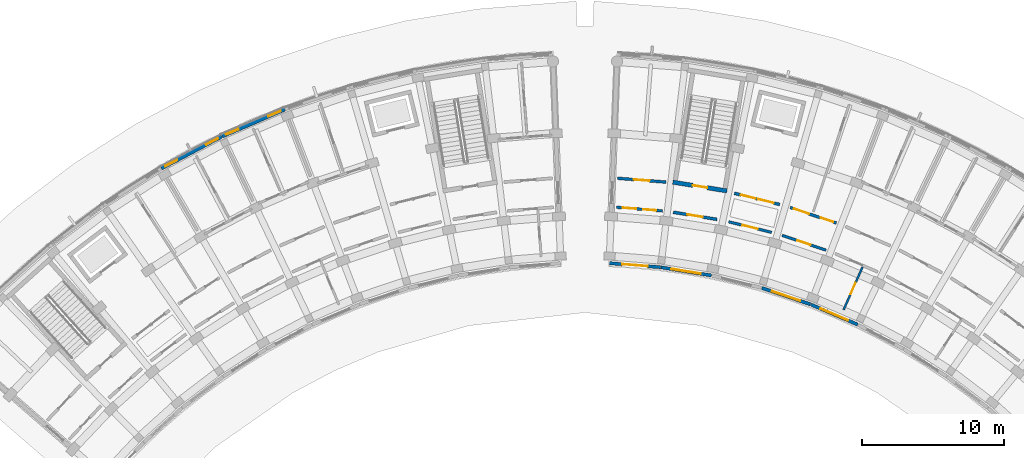
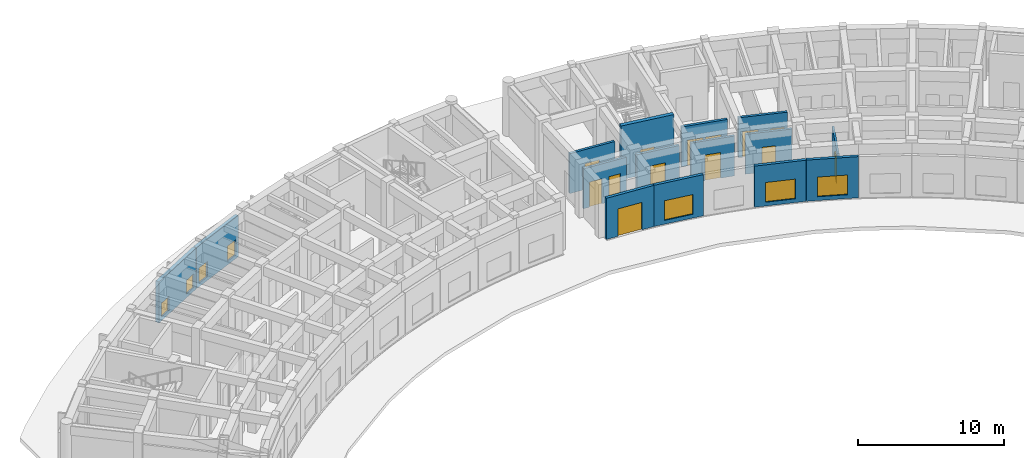
# One storey, part 34 of 61: 15 walls, 13 doors, 7 windows, 20 openings.
"""IFC4 building model written with IfcOpenShell, lengths in metres."""

from ifc_helpers import new_model, si_unit, direction, frame, frame_2d, origin, place, context, subcontext, project, spatial, rectangle, extrude, material, layer, layer_set, type_object, element, fill, save


model = new_model("IFC4")

# Units and contexts
model_context = context("Model", 3, precision=1e-05, world=origin(), true_north=direction((0.0, 1.0)))
body_context = subcontext(model_context, "Body", "Model", "MODEL_VIEW")
ifc_project = project(units=[si_unit("LENGTHUNIT", "METRE"), si_unit("AREAUNIT", "SQUARE_METRE"), si_unit("VOLUMEUNIT", "CUBIC_METRE"), si_unit("PLANEANGLEUNIT", "RADIAN"), si_unit("MASSUNIT", "GRAM", prefix="KILO")], contexts=[model_context])

# Site, building, storey
site_placement = place(None, origin())
site = spatial("IfcSite", under=ifc_project, at=site_placement, CompositionType="ELEMENT")
building_placement = place(site_placement, origin())
building = spatial("IfcBuilding", under=site, at=building_placement, Name="Zimvara Arc Housing Community", CompositionType="ELEMENT")
storey_placement = place(building_placement, origin())
storey = spatial("IfcBuildingStorey", under=building, at=storey_placement, Name="L00", CompositionType="ELEMENT", Elevation=0.0)

# Wall, opening, door
ifc_material_1 = material(Name="Board-Marked Fair-Faced Concrete C35/45", Category="concrete")
ifc_layer_1 = layer(ifc_material_1, 0.22998046875)
ifc_layer_set_1 = layer_set([ifc_layer_1], Name="Board-Marked Fair-Faced Concrete C35/45")
wall_type_1 = type_object("IfcWallType", Name="EWL-CONC-230", PredefinedType="SOLIDWALL", material=ifc_layer_set_1)
wall_1_placement = place(storey_placement, frame((46.73291015625, 89.08544921875, 0.0), z_axis=(0.0, 0.0, 1.0), x_axis=(0.996864205069, -0.079131262167, 0.0)))
wall_1 = element("IfcWall", 1, at=wall_1_placement, inside=storey, type_object=wall_type_1, Name="ewall:blkB:L00:in:b0", PredefinedType="SOLIDWALL", context=body_context, shape_type="SweptSolid", body=[
    extrude(rectangle(XDim=3.603515625, YDim=0.22998046875, at=frame_2d((1.8017578125, 0.0))), origin(), (0.0, 0.0, 1.0), 3.449951171875),
])
opening_1_placement = place(wall_1_placement, frame((0.90185546875, 0.0, 0.0)))
opening_1 = element("IfcOpeningElement", 2, at=opening_1_placement, cuts=wall_1, Name="Opening ED02", PredefinedType="OPENING", context=body_context, shape_type="SweptSolid", body=[
    extrude(rectangle(XDim=1.800048828125, YDim=2.300048828125, at=frame_2d((0.89990234375, 1.14990234375))), frame((0.0, 0.125, 0.0), z_axis=(0.0, -1.0, 0.0), x_axis=(1.0, 0.0, 0.0)), (0.0, 0.0, 1.0), 0.25),
])
ifc_material_2 = material(Name="Anodised Aluminium AW-6063", Category="aluminium")
door_type_1 = type_object("IfcDoorType", Name="EDR-EXIT-1800x2300", OperationType="DOUBLE_DOOR_SINGLE_SWING", PredefinedType="DOOR", material=ifc_material_2)
door_1_placement = place(opening_1_placement, origin())
door_1 = element("IfcDoor", 3, at=door_1_placement, inside=storey, type_object=door_type_1, Name="edoor:blkB:L00:lobby", OperationType="DOUBLE_DOOR_SINGLE_SWING", OverallHeight=2.300048828125, OverallWidth=1.800048828125, PredefinedType="DOOR", context=body_context, shape_type="SweptSolid", body=[
    extrude(rectangle(XDim=1.800048828125, YDim=2.300048828125, at=frame_2d((0.89990234375, 1.14990234375))), frame((0.0, 0.02490234375, 0.0), z_axis=(0.0, -1.0, 0.0), x_axis=(1.0, 0.0, 0.0)), (0.0, 0.0, 1.0), 0.050048828125),
])
fill(opening_1, door_1)

# Wall, opening, window
wall_2_placement = place(storey_placement, frame((50.36474609375, 88.79541015625, 0.0), z_axis=(0.0, 0.0, 1.0), x_axis=(0.987080874485, -0.160222804952, 0.0)))
wall_2 = element("IfcWall", 4, at=wall_2_placement, inside=storey, type_object=wall_type_1, Name="ewall:blkB:L00:in:b1", PredefinedType="SOLIDWALL", context=body_context, shape_type="SweptSolid", body=[
    extrude(rectangle(XDim=3.603759765625, YDim=0.22998046875, at=frame_2d((1.8017578125, 0.0))), origin(), (0.0, 0.0, 1.0), 3.449951171875),
])
opening_2_placement = place(wall_2_placement, frame((0.751708984375, 0.0, 0.320068359375)))
opening_2 = element("IfcOpeningElement", 5, at=opening_2_placement, cuts=wall_2, Name="Opening W09", PredefinedType="OPENING", context=body_context, shape_type="SweptSolid", body=[
    extrude(rectangle(XDim=2.10009765625, YDim=1.64990234375, at=frame_2d((1.050048828125, 0.824951171875))), frame((0.0, 0.125, 0.0), z_axis=(0.0, -1.0, 0.0), x_axis=(1.0, 0.0, 0.0)), (0.0, 0.0, 1.0), 0.25),
])
ifc_material_3 = material(Name="Solar Control Low-E Double Glazing", Category="glass")
window_type_1 = type_object("IfcWindowType", Name="WIN-RES-2100x1650", PartitioningType="TRIPLE_PANEL_VERTICAL", PredefinedType="WINDOW", material=ifc_material_3)
window_1_placement = place(opening_2_placement, origin())
window_1 = element("IfcWindow", 6, at=window_1_placement, inside=storey, type_object=window_type_1, Name="win:blkB:L00:in:b1", OverallHeight=1.64990234375, OverallWidth=2.10009765625, PartitioningType="TRIPLE_PANEL_VERTICAL", PredefinedType="WINDOW", context=body_context, shape_type="SweptSolid", body=[
    extrude(rectangle(XDim=2.10009765625, YDim=1.64990234375, at=frame_2d((1.050048828125, 0.824951171875))), frame((0.0, 0.030029296875, 0.0), z_axis=(0.0, -1.0, 0.0), x_axis=(1.0, 0.0, 0.0)), (0.0, 0.0, 1.0), 0.06005859375),
])
fill(opening_2, window_1)

wall_3_placement = place(storey_placement, frame((57.49755859375, 87.333251953125, 0.0), z_axis=(0.0, 0.0, 1.0), x_axis=(0.947880824442, -0.318625081649, 0.0)))
wall_3 = element("IfcWall", 7, at=wall_3_placement, inside=storey, type_object=wall_type_1, Name="ewall:blkB:L00:in:b3", PredefinedType="SOLIDWALL", context=body_context, shape_type="SweptSolid", body=[
    extrude(rectangle(XDim=3.603515625, YDim=0.22998046875, at=frame_2d((1.8017578125, 0.0))), origin(), (0.0, 0.0, 1.0), 3.449951171875),
])
opening_3_placement = place(wall_3_placement, frame((0.751708984375, 0.0, 0.320068359375)))
opening_3 = element("IfcOpeningElement", 8, at=opening_3_placement, cuts=wall_3, Name="Opening W09", PredefinedType="OPENING", context=body_context, shape_type="SweptSolid", body=[
    extrude(rectangle(XDim=2.10009765625, YDim=1.64990234375, at=frame_2d((1.050048828125, 0.824951171875))), frame((0.0, 0.125, 0.0), z_axis=(0.0, -1.0, 0.0), x_axis=(1.0, 0.0, 0.0)), (0.0, 0.0, 1.0), 0.25),
])
window_2_placement = place(opening_3_placement, origin())
window_2 = element("IfcWindow", 9, at=window_2_placement, inside=storey, type_object=window_type_1, Name="win:blkB:L00:in:b3", OverallHeight=1.64990234375, OverallWidth=2.10009765625, PartitioningType="TRIPLE_PANEL_VERTICAL", PredefinedType="WINDOW", context=body_context, shape_type="SweptSolid", body=[
    extrude(rectangle(XDim=2.10009765625, YDim=1.64990234375, at=frame_2d((1.050048828125, 0.824951171875))), frame((0.0, 0.030029296875, 0.0), z_axis=(0.0, -1.0, 0.0), x_axis=(1.0, 0.0, 0.0)), (0.0, 0.0, 1.0), 0.06005859375),
])
fill(opening_3, window_2)

wall_4_placement = place(storey_placement, frame((60.95068359375, 86.170654296875, 0.0), z_axis=(0.0, 0.0, 1.0), x_axis=(0.918713438577, -0.394924825477, 0.0)))
wall_4 = element("IfcWall", 10, at=wall_4_placement, inside=storey, type_object=wall_type_1, Name="ewall:blkB:L00:in:b4", PredefinedType="SOLIDWALL", context=body_context, shape_type="SweptSolid", body=[
    extrude(rectangle(XDim=3.603515625, YDim=0.22998046875, at=frame_2d((1.8017578125, 0.0))), origin(), (0.0, 0.0, 1.0), 3.449951171875),
])
opening_4_placement = place(wall_4_placement, frame((0.751708984375, 0.0, 0.320068359375)))
opening_4 = element("IfcOpeningElement", 11, at=opening_4_placement, cuts=wall_4, Name="Opening W09", PredefinedType="OPENING", context=body_context, shape_type="SweptSolid", body=[
    extrude(rectangle(XDim=2.10009765625, YDim=1.64990234375, at=frame_2d((1.050048828125, 0.824951171875))), frame((0.0, 0.125, 0.0), z_axis=(0.0, -1.0, 0.0), x_axis=(1.0, 0.0, 0.0)), (0.0, 0.0, 1.0), 0.25),
])
window_3_placement = place(opening_4_placement, origin())
window_3 = element("IfcWindow", 12, at=window_3_placement, inside=storey, type_object=window_type_1, Name="win:blkB:L00:in:b4", OverallHeight=1.64990234375, OverallWidth=2.10009765625, PartitioningType="TRIPLE_PANEL_VERTICAL", PredefinedType="WINDOW", context=body_context, shape_type="SweptSolid", body=[
    extrude(rectangle(XDim=2.10009765625, YDim=1.64990234375, at=frame_2d((1.050048828125, 0.824951171875))), frame((0.0, 0.030029296875, 0.0), z_axis=(0.0, -1.0, 0.0), x_axis=(1.0, 0.0, 0.0)), (0.0, 0.0, 1.0), 0.06005859375),
])
fill(opening_4, window_3)

# Wall, openings, windows
ifc_material_4 = material(Name="Board-Marked Fair-Faced Concrete C35/45", Category="concrete")
ifc_layer_2 = layer(ifc_material_4, 0.264892578125)
ifc_layer_set_2 = layer_set([ifc_layer_2], Name="Board-Marked Fair-Faced Concrete C35/45")
wall_type_2 = type_object("IfcWallType", Name="EWL-CONC-265", PredefinedType="SOLIDWALL", material=ifc_layer_set_2)
wall_5_placement = place(storey_placement, frame((15.07666015625, 95.788330078125, 0.0), z_axis=(0.0, 0.0, 1.0), x_axis=(0.883448093208, 0.468529045639, 0.0)))
wall_5 = element("IfcWall", 13, at=wall_5_placement, inside=storey, type_object=wall_type_2, Name="ewall:blkA:L00:out:b4", PredefinedType="SOLIDWALL", context=body_context, shape_type="SweptSolid", body=[
    extrude(rectangle(XDim=4.80908203125, YDim=0.264892578125, at=frame_2d((2.404541015625, 0.0))), origin(), (0.0, 0.0, 1.0), 3.449951171875),
])
opening_5_placement = place(wall_5_placement, frame((0.300048828125, 0.0, 0.300048828125)))
opening_5 = element("IfcOpeningElement", 14, at=opening_5_placement, cuts=wall_5, Name="Opening W25", PredefinedType="OPENING", context=body_context, shape_type="SweptSolid", body=[
    extrude(rectangle(XDim=0.9599609375, YDim=1.159912109375, at=frame_2d((0.47998046875, 0.580078125))), frame((0.0, 0.142333984375, 0.0), z_axis=(0.0, -1.0, 0.0), x_axis=(1.0, 0.0, 0.0)), (0.0, 0.0, 1.0), 0.284912109375),
])
opening_6_placement = place(wall_5_placement, frame((3.548828125, 0.0, 0.300048828125)))
opening_6 = element("IfcOpeningElement", 15, at=opening_6_placement, cuts=wall_5, Name="Opening W25", PredefinedType="OPENING", context=body_context, shape_type="SweptSolid", body=[
    extrude(rectangle(XDim=0.9599609375, YDim=1.159912109375, at=frame_2d((0.47998046875, 0.580078125))), frame((0.0, 0.142333984375, 0.0), z_axis=(0.0, -1.0, 0.0), x_axis=(1.0, 0.0, 0.0)), (0.0, 0.0, 1.0), 0.284912109375),
])
ifc_material_5 = material(Name="Solar Control Low-E Double Glazing", Category="glass")
window_type_2 = type_object("IfcWindowType", Name="WIN-MOD-960x1160", PartitioningType="DOUBLE_PANEL_VERTICAL", PredefinedType="WINDOW", material=ifc_material_5)
window_4_placement = place(opening_5_placement, origin())
window_4 = element("IfcWindow", 16, at=window_4_placement, inside=storey, type_object=window_type_2, Name="win:blkA:L00:out:b4:1", OverallHeight=1.159912109375, OverallWidth=0.9599609375, PartitioningType="DOUBLE_PANEL_VERTICAL", PredefinedType="WINDOW", context=body_context, shape_type="SweptSolid", body=[
    extrude(rectangle(XDim=0.9599609375, YDim=1.159912109375, at=frame_2d((0.47998046875, 0.580078125))), frame((0.0, 0.030029296875, 0.0), z_axis=(0.0, -1.0, 0.0), x_axis=(1.0, 0.0, 0.0)), (0.0, 0.0, 1.0), 0.06005859375),
])
fill(opening_5, window_4)
window_5_placement = place(opening_6_placement, origin())
window_5 = element("IfcWindow", 17, at=window_5_placement, inside=storey, type_object=window_type_2, Name="win:blkA:L00:out:b4:2", OverallHeight=1.159912109375, OverallWidth=0.9599609375, PartitioningType="DOUBLE_PANEL_VERTICAL", PredefinedType="WINDOW", context=body_context, shape_type="SweptSolid", body=[
    extrude(rectangle(XDim=0.9599609375, YDim=1.159912109375, at=frame_2d((0.47998046875, 0.580078125))), frame((0.0, 0.030029296875, 0.0), z_axis=(0.0, -1.0, 0.0), x_axis=(1.0, 0.0, 0.0)), (0.0, 0.0, 1.0), 0.06005859375),
])
fill(opening_6, window_5)

ifc_material_6 = material(Name="Board-Marked Fair-Faced Concrete C40/50", Category="concrete")
ifc_layer_3 = layer(ifc_material_6, 0.27490234375)
ifc_layer_set_3 = layer_set([ifc_layer_3], Name="Board-Marked Fair-Faced Concrete C40/50")
wall_type_3 = type_object("IfcWallType", Name="EWL-CONC-275", PredefinedType="SOLIDWALL", material=ifc_layer_set_3)
wall_6_placement = place(storey_placement, frame((19.361083984375, 98.05859375, 0.0), z_axis=(0.0, 0.0, 1.0), x_axis=(0.918711189033, 0.394930058548, 0.0)))
wall_6 = element("IfcWall", 18, at=wall_6_placement, inside=storey, type_object=wall_type_3, Name="ewall:blkA:L00:out:b5", PredefinedType="SOLIDWALL", context=body_context, shape_type="SweptSolid", body=[
    extrude(rectangle(XDim=4.808837890625, YDim=0.27490234375, at=frame_2d((2.404296875, 0.0))), origin(), (0.0, 0.0, 1.0), 3.449951171875),
])
opening_7_placement = place(wall_6_placement, frame((0.300048828125, 0.0, 0.300048828125)))
opening_7 = element("IfcOpeningElement", 19, at=opening_7_placement, cuts=wall_6, Name="Opening W26", PredefinedType="OPENING", context=body_context, shape_type="SweptSolid", body=[
    extrude(rectangle(XDim=0.9599609375, YDim=1.280029296875, at=frame_2d((0.47998046875, 0.64013671875))), frame((0.0, 0.1474609375, 0.0), z_axis=(0.0, -1.0, 0.0), x_axis=(1.0, 0.0, 0.0)), (0.0, 0.0, 1.0), 0.294921875),
])
opening_8_placement = place(wall_6_placement, frame((3.548828125, 0.0, 0.300048828125)))
opening_8 = element("IfcOpeningElement", 20, at=opening_8_placement, cuts=wall_6, Name="Opening W26", PredefinedType="OPENING", context=body_context, shape_type="SweptSolid", body=[
    extrude(rectangle(XDim=0.9599609375, YDim=1.280029296875, at=frame_2d((0.47998046875, 0.64013671875))), frame((0.0, 0.1474609375, 0.0), z_axis=(0.0, -1.0, 0.0), x_axis=(1.0, 0.0, 0.0)), (0.0, 0.0, 1.0), 0.294921875),
])
ifc_material_7 = material(Name="Solar Control Low-E Double Glazing", Category="glass")
window_type_3 = type_object("IfcWindowType", Name="WIN-MOD-960x1280", PartitioningType="DOUBLE_PANEL_VERTICAL", PredefinedType="WINDOW", material=ifc_material_7)
window_6_placement = place(opening_7_placement, origin())
window_6 = element("IfcWindow", 21, at=window_6_placement, inside=storey, type_object=window_type_3, Name="win:blkA:L00:out:b5:1", OverallHeight=1.280029296875, OverallWidth=0.9599609375, PartitioningType="DOUBLE_PANEL_VERTICAL", PredefinedType="WINDOW", context=body_context, shape_type="SweptSolid", body=[
    extrude(rectangle(XDim=0.9599609375, YDim=1.280029296875, at=frame_2d((0.47998046875, 0.64013671875))), frame((0.0, 0.030029296875, 0.0), z_axis=(0.0, -1.0, 0.0), x_axis=(1.0, 0.0, 0.0)), (0.0, 0.0, 1.0), 0.06005859375),
])
fill(opening_7, window_6)
window_7_placement = place(opening_8_placement, origin())
window_7 = element("IfcWindow", 22, at=window_7_placement, inside=storey, type_object=window_type_3, Name="win:blkA:L00:out:b5:2", OverallHeight=1.280029296875, OverallWidth=0.9599609375, PartitioningType="DOUBLE_PANEL_VERTICAL", PredefinedType="WINDOW", context=body_context, shape_type="SweptSolid", body=[
    extrude(rectangle(XDim=0.9599609375, YDim=1.280029296875, at=frame_2d((0.47998046875, 0.64013671875))), frame((0.0, 0.030029296875, 0.0), z_axis=(0.0, -1.0, 0.0), x_axis=(1.0, 0.0, 0.0)), (0.0, 0.0, 1.0), 0.06005859375),
])
fill(opening_8, window_7)

# Wall, opening, door
ifc_material_8 = material(Name="Concrete C35/45", Category="concrete")
ifc_layer_4 = layer(ifc_material_8, 0.2099609375)
ifc_layer_set_4 = layer_set([ifc_layer_4], Name="Concrete C35/45")
wall_type_4 = type_object("IfcWallType", Name="IWL-CCF-210", PredefinedType="SOLIDWALL", material=ifc_layer_set_4)
wall_7_placement = place(storey_placement, frame((51.236328125, 92.682861328125, 0.0), z_axis=(0.0, 0.0, 1.0), x_axis=(0.98707079686, -0.160284877599, 0.0)))
wall_7 = element("IfcWall", 23, at=wall_7_placement, inside=storey, type_object=wall_type_4, Name="iwall:blkB:L00:ccf_div:b1", PredefinedType="SOLIDWALL", context=body_context, shape_type="SweptSolid", body=[
    extrude(rectangle(XDim=3.128662109375, YDim=0.2099609375, at=frame_2d((1.564453125, 0.0))), origin(), (0.0, 0.0, 1.0), 3.340087890625),
])
opening_9_placement = place(wall_7_placement, frame((1.014404296875, 0.0, 0.0)))
opening_9 = element("IfcOpeningElement", 24, at=opening_9_placement, cuts=wall_7, Name="Opening FD-CCF1", PredefinedType="OPENING", context=body_context, shape_type="SweptSolid", body=[
    extrude(rectangle(XDim=1.10009765625, YDim=2.14990234375, at=frame_2d((0.550048828125, 1.074951171875))), frame((0.0, 0.114990234375, 0.0), z_axis=(0.0, -1.0, 0.0), x_axis=(1.0, 0.0, 0.0)), (0.0, 0.0, 1.0), 0.22998046875),
])
ifc_material_9 = material(Name="Anodised Aluminium AW-6063", Category="aluminium")
door_type_2 = type_object("IfcDoorType", Name="IDR-CCF-1100x2150", OperationType="NOTDEFINED", PredefinedType="DOOR", material=ifc_material_9)
door_2_placement = place(opening_9_placement, origin())
door_2 = element("IfcDoor", 25, at=door_2_placement, inside=storey, type_object=door_type_2, Name="idoor:blkB:L00:ccf_in:b1", OperationType="SINGLE_SWING_LEFT", OverallHeight=2.14990234375, OverallWidth=1.10009765625, PredefinedType="DOOR", context=body_context, shape_type="SweptSolid", body=[
    extrude(rectangle(XDim=1.10009765625, YDim=2.14990234375, at=frame_2d((0.550048828125, 1.074951171875))), frame((0.0, 0.02490234375, 0.0), z_axis=(0.0, -1.0, 0.0), x_axis=(1.0, 0.0, 0.0)), (0.0, 0.0, 1.0), 0.050048828125),
])
fill(opening_9, door_2)

# Wall, openings, doors
wall_8_placement = place(storey_placement, frame((55.5576171875, 94.021728515625, 0.0), z_axis=(0.0, 0.0, 1.0), x_axis=(0.970719238682, -0.240216901263, 0.0)))
wall_8 = element("IfcWall", 26, at=wall_8_placement, inside=storey, type_object=wall_type_4, Name="iwall:blkB:L00:ll_div:b2", PredefinedType="SOLIDWALL", context=body_context, shape_type="SweptSolid", body=[
    extrude(rectangle(XDim=3.2958984375, YDim=0.2099609375, at=frame_2d((1.64794921875, 0.0))), origin(), (0.0, 0.0, 1.0), 3.340087890625),
])
opening_10_placement = place(wall_8_placement, frame((0.449951171875, 0.0, 0.0)))
opening_10 = element("IfcOpeningElement", 27, at=opening_10_placement, cuts=wall_8, Name="Opening FD-CCF1", PredefinedType="OPENING", context=body_context, shape_type="SweptSolid", body=[
    extrude(rectangle(XDim=1.10009765625, YDim=2.14990234375, at=frame_2d((0.550048828125, 1.074951171875))), frame((0.0, 0.114990234375, 0.0), z_axis=(0.0, -1.0, 0.0), x_axis=(1.0, 0.0, 0.0)), (0.0, 0.0, 1.0), 0.22998046875),
])
opening_11_placement = place(wall_8_placement, frame((1.72607421875, 0.0, 0.0)))
opening_11 = element("IfcOpeningElement", 28, at=opening_11_placement, cuts=wall_8, Name="Opening D07", PredefinedType="OPENING", context=body_context, shape_type="SweptSolid", body=[
    extrude(rectangle(XDim=1.1201171875, YDim=2.14990234375, at=frame_2d((0.56005859375, 1.074951171875))), frame((0.0, 0.114990234375, 0.0), z_axis=(0.0, -1.0, 0.0), x_axis=(1.0, 0.0, 0.0)), (0.0, 0.0, 1.0), 0.22998046875),
])
ifc_material_10 = material(Name="Mozambican Hardwood", Category="wood")
door_type_3 = type_object("IfcDoorType", Name="IDR-AMN-1120x2150", OperationType="NOTDEFINED", PredefinedType="DOOR", material=ifc_material_10)
door_3_placement = place(opening_11_placement, origin())
door_3 = element("IfcDoor", 29, at=door_3_placement, inside=storey, type_object=door_type_3, Name="idoor:blkB:L00:rs_in:b2", OperationType="SINGLE_SWING_LEFT", OverallHeight=2.14990234375, OverallWidth=1.1201171875, PredefinedType="DOOR", context=body_context, shape_type="SweptSolid", body=[
    extrude(rectangle(XDim=1.1201171875, YDim=2.14990234375, at=frame_2d((0.56005859375, 1.074951171875))), frame((0.0, 0.02490234375, 0.0), z_axis=(0.0, -1.0, 0.0), x_axis=(1.0, 0.0, 0.0)), (0.0, 0.0, 1.0), 0.050048828125),
])
fill(opening_11, door_3)
door_4_placement = place(opening_10_placement, origin())
door_4 = element("IfcDoor", 30, at=door_4_placement, inside=storey, type_object=door_type_2, Name="idoor:blkB:L00:ll_in:b2", OperationType="SINGLE_SWING_RIGHT", OverallHeight=2.14990234375, OverallWidth=1.10009765625, PredefinedType="DOOR", context=body_context, shape_type="SweptSolid", body=[
    extrude(rectangle(XDim=1.10009765625, YDim=2.14990234375, at=frame_2d((0.550048828125, 1.074951171875))), frame((0.0, 0.02490234375, 0.0), z_axis=(0.0, -1.0, 0.0), x_axis=(1.0, 0.0, 0.0)), (0.0, 0.0, 1.0), 0.050048828125),
])
fill(opening_10, door_4)

ifc_material_11 = material(Name="Concrete C35/45", Category="concrete")
ifc_layer_5 = layer(ifc_material_11, 0.18994140625)
ifc_layer_set_5 = layer_set([ifc_layer_5], Name="Concrete C35/45")
wall_type_5 = type_object("IfcWallType", Name="IWL-CORR-190", PredefinedType="SOLIDWALL", material=ifc_layer_set_5)
wall_9_placement = place(storey_placement, frame((47.214599609375, 93.036376953125, 0.0), z_axis=(0.0, 0.0, 1.0), x_axis=(0.99686660806, -0.07910098441, 0.0)))
wall_9 = element("IfcWall", 31, at=wall_9_placement, inside=storey, type_object=wall_type_5, Name="iwall:blkB:L00:corr_in:b0", PredefinedType="SOLIDWALL", context=body_context, shape_type="SweptSolid", body=[
    extrude(rectangle(XDim=3.2685546875, YDim=0.18994140625, at=frame_2d((1.63427734375, 0.0))), origin(), (0.0, 0.0, 1.0), 3.340087890625),
])
opening_12_placement = place(wall_9_placement, frame((0.449951171875, 0.0, 0.0)))
opening_12 = element("IfcOpeningElement", 32, at=opening_12_placement, cuts=wall_9, Name="Opening D06", PredefinedType="OPENING", context=body_context, shape_type="SweptSolid", body=[
    extrude(rectangle(XDim=0.949951171875, YDim=2.10009765625, at=frame_2d((0.47509765625, 1.050048828125))), frame((0.0, 0.10498046875, 0.0), z_axis=(0.0, -1.0, 0.0), x_axis=(1.0, 0.0, 0.0)), (0.0, 0.0, 1.0), 0.2099609375),
])
opening_13_placement = place(wall_9_placement, frame((1.918701171875, 0.0, 0.0)))
opening_13 = element("IfcOpeningElement", 33, at=opening_13_placement, cuts=wall_9, Name="Opening D01", PredefinedType="OPENING", context=body_context, shape_type="SweptSolid", body=[
    extrude(rectangle(XDim=0.89990234375, YDim=2.10009765625, at=frame_2d((0.449951171875, 1.050048828125))), frame((0.0, 0.10498046875, 0.0), z_axis=(0.0, -1.0, 0.0), x_axis=(1.0, 0.0, 0.0)), (0.0, 0.0, 1.0), 0.2099609375),
])
ifc_material_12 = material(Name="Mozambican Hardwood", Category="wood")
door_type_4 = type_object("IfcDoorType", Name="IDR-AWC-0950x2100", OperationType="NOTDEFINED", PredefinedType="DOOR", material=ifc_material_12)
door_5_placement = place(opening_12_placement, origin())
door_5 = element("IfcDoor", 34, at=door_5_placement, inside=storey, type_object=door_type_4, Name="idoor:blkB:L00:awc_d", OperationType="SINGLE_SWING_LEFT", OverallHeight=2.10009765625, OverallWidth=0.949951171875, PredefinedType="DOOR", context=body_context, shape_type="SweptSolid", body=[
    extrude(rectangle(XDim=0.949951171875, YDim=2.10009765625, at=frame_2d((0.47509765625, 1.050048828125))), frame((0.0, 0.02490234375, 0.0), z_axis=(0.0, -1.0, 0.0), x_axis=(1.0, 0.0, 0.0)), (0.0, 0.0, 1.0), 0.050048828125),
])
fill(opening_12, door_5)
ifc_material_13 = material(Name="Mozambican Hardwood", Category="wood")
door_type_5 = type_object("IfcDoorType", Name="IDR-RM-0900x2100", OperationType="NOTDEFINED", PredefinedType="DOOR", material=ifc_material_13)
door_6_placement = place(opening_13_placement, origin())
door_6 = element("IfcDoor", 35, at=door_6_placement, inside=storey, type_object=door_type_5, Name="idoor:blkB:L00:mail_d", OperationType="SINGLE_SWING_RIGHT", OverallHeight=2.10009765625, OverallWidth=0.89990234375, PredefinedType="DOOR", context=body_context, shape_type="SweptSolid", body=[
    extrude(rectangle(XDim=0.89990234375, YDim=2.10009765625, at=frame_2d((0.449951171875, 1.050048828125))), frame((0.0, 0.02490234375, 0.0), z_axis=(0.0, -1.0, 0.0), x_axis=(1.0, 0.0, 0.0)), (0.0, 0.0, 1.0), 0.050048828125),
])
fill(opening_13, door_6)

# Wall, opening, door
wall_10_placement = place(storey_placement, frame((55.146728515625, 92.01318359375, 0.0), z_axis=(0.0, 0.0, 1.0), x_axis=(0.970727194092, -0.240184751078, 0.0)))
wall_10 = element("IfcWall", 36, at=wall_10_placement, inside=storey, type_object=wall_type_5, Name="iwall:blkB:L00:ra_div:b2", PredefinedType="SOLIDWALL", context=body_context, shape_type="SweptSolid", body=[
    extrude(rectangle(XDim=3.128662109375, YDim=0.18994140625, at=frame_2d((1.564453125, 0.0))), origin(), (0.0, 0.0, 1.0), 3.340087890625),
])
opening_14_placement = place(wall_10_placement, frame((1.00439453125, 0.0, 0.0)))
opening_14 = element("IfcOpeningElement", 37, at=opening_14_placement, cuts=wall_10, Name="Opening D07", PredefinedType="OPENING", context=body_context, shape_type="SweptSolid", body=[
    extrude(rectangle(XDim=1.1201171875, YDim=2.14990234375, at=frame_2d((0.56005859375, 1.074951171875))), frame((0.0, 0.10498046875, 0.0), z_axis=(0.0, -1.0, 0.0), x_axis=(1.0, 0.0, 0.0)), (0.0, 0.0, 1.0), 0.2099609375),
])
door_7_placement = place(opening_14_placement, origin())
door_7 = element("IfcDoor", 38, at=door_7_placement, inside=storey, type_object=door_type_3, Name="idoor:blkB:L00:ra_d:b2", OperationType="SINGLE_SWING_RIGHT", OverallHeight=2.14990234375, OverallWidth=1.1201171875, PredefinedType="DOOR", context=body_context, shape_type="SweptSolid", body=[
    extrude(rectangle(XDim=1.1201171875, YDim=2.14990234375, at=frame_2d((0.56005859375, 1.074951171875))), frame((0.0, 0.02490234375, 0.0), z_axis=(0.0, -1.0, 0.0), x_axis=(1.0, 0.0, 0.0)), (0.0, 0.0, 1.0), 0.050048828125),
])
fill(opening_14, door_7)

wall_11_placement = place(storey_placement, frame((58.92333984375, 91.04931640625, 0.0), z_axis=(0.0, 0.0, 1.0), x_axis=(0.94787351033, -0.318646839643, 0.0)))
wall_11 = element("IfcWall", 39, at=wall_11_placement, inside=storey, type_object=wall_type_5, Name="iwall:blkB:L00:corr_in:b3", PredefinedType="SOLIDWALL", context=body_context, shape_type="SweptSolid", body=[
    extrude(rectangle(XDim=3.2685546875, YDim=0.18994140625, at=frame_2d((1.63427734375, 0.0))), origin(), (0.0, 0.0, 1.0), 3.340087890625),
])
opening_15_placement = place(wall_11_placement, frame((1.154296875, 0.0, 0.0)))
opening_15 = element("IfcOpeningElement", 40, at=opening_15_placement, cuts=wall_11, Name="Opening D04", PredefinedType="OPENING", context=body_context, shape_type="SweptSolid", body=[
    extrude(rectangle(XDim=0.9599609375, YDim=2.10009765625, at=frame_2d((0.47998046875, 1.050048828125))), frame((0.0, 0.10498046875, 0.0), z_axis=(0.0, -1.0, 0.0), x_axis=(1.0, 0.0, 0.0)), (0.0, 0.0, 1.0), 0.2099609375),
])
ifc_material_14 = material(Name="Mozambican Hardwood", Category="wood")
door_type_6 = type_object("IfcDoorType", Name="IDR-RM-0960x2100", OperationType="NOTDEFINED", PredefinedType="DOOR", material=ifc_material_14)
door_8_placement = place(opening_15_placement, origin())
door_8 = element("IfcDoor", 41, at=door_8_placement, inside=storey, type_object=door_type_6, Name="idoor:blkB:L00:in_rm:b3", OperationType="SINGLE_SWING_LEFT", OverallHeight=2.10009765625, OverallWidth=0.9599609375, PredefinedType="DOOR", context=body_context, shape_type="SweptSolid", body=[
    extrude(rectangle(XDim=0.9599609375, YDim=2.10009765625, at=frame_2d((0.47998046875, 1.050048828125))), frame((0.0, 0.02490234375, 0.0), z_axis=(0.0, -1.0, 0.0), x_axis=(1.0, 0.0, 0.0)), (0.0, 0.0, 1.0), 0.050048828125),
])
fill(opening_15, door_8)

ifc_material_15 = material(Name="Concrete C35/45", Category="concrete")
ifc_layer_6 = layer(ifc_material_15, 0.199951171875)
ifc_layer_set_6 = layer_set([ifc_layer_6], Name="Concrete C35/45")
wall_type_6 = type_object("IfcWallType", Name="IWL-CORR-200", PredefinedType="SOLIDWALL", material=ifc_layer_set_6)
wall_12_placement = place(storey_placement, frame((47.293212890625, 95.0849609375, 0.0), z_axis=(0.0, 0.0, 1.0), x_axis=(0.996862545573, -0.079152165058, 0.0)))
wall_12 = element("IfcWall", 42, at=wall_12_placement, inside=storey, type_object=wall_type_6, Name="iwall:blkB:L00:corr_out:b0", PredefinedType="SOLIDWALL", context=body_context, shape_type="SweptSolid", body=[
    extrude(rectangle(XDim=3.43603515625, YDim=0.199951171875, at=frame_2d((1.718017578125, 0.0))), origin(), (0.0, 0.0, 1.0), 3.340087890625),
])
opening_16_placement = place(wall_12_placement, frame((1.16796875, 0.0, 0.0)))
opening_16 = element("IfcOpeningElement", 43, at=opening_16_placement, cuts=wall_12, Name="Opening FD-CCF1", PredefinedType="OPENING", context=body_context, shape_type="SweptSolid", body=[
    extrude(rectangle(XDim=1.10009765625, YDim=2.14990234375, at=frame_2d((0.550048828125, 1.074951171875))), frame((0.0, 0.10986328125, 0.0), z_axis=(0.0, -1.0, 0.0), x_axis=(1.0, 0.0, 0.0)), (0.0, 0.0, 1.0), 0.219970703125),
])
door_9_placement = place(opening_16_placement, origin())
door_9 = element("IfcDoor", 44, at=door_9_placement, inside=storey, type_object=door_type_2, Name="idoor:blkB:L00:b0_corr", OperationType="SINGLE_SWING_RIGHT", OverallHeight=2.14990234375, OverallWidth=1.10009765625, PredefinedType="DOOR", context=body_context, shape_type="SweptSolid", body=[
    extrude(rectangle(XDim=1.10009765625, YDim=2.14990234375, at=frame_2d((0.550048828125, 1.074951171875))), frame((0.0, 0.02490234375, 0.0), z_axis=(0.0, -1.0, 0.0), x_axis=(1.0, 0.0, 0.0)), (0.0, 0.0, 1.0), 0.050048828125),
])
fill(opening_16, door_9)

# Wall, openings, doors
wall_13_placement = place(storey_placement, frame((59.49658203125, 93.017578125, 0.0), z_axis=(0.0, 0.0, 1.0), x_axis=(0.947863007629, -0.318678080151, 0.0)))
wall_13 = element("IfcWall", 45, at=wall_13_placement, inside=storey, type_object=wall_type_6, Name="iwall:blkB:L00:corr_out:b3", PredefinedType="SOLIDWALL", context=body_context, shape_type="SweptSolid", body=[
    extrude(rectangle(XDim=3.43603515625, YDim=0.199951171875, at=frame_2d((1.718017578125, 0.0))), origin(), (0.0, 0.0, 1.0), 3.340087890625),
])
opening_17_placement = place(wall_13_placement, frame((0.280029296875, 0.0, 0.0)))
opening_17 = element("IfcOpeningElement", 46, at=opening_17_placement, cuts=wall_13, Name="Opening D07", PredefinedType="OPENING", context=body_context, shape_type="SweptSolid", body=[
    extrude(rectangle(XDim=1.1201171875, YDim=2.14990234375, at=frame_2d((0.56005859375, 1.074951171875))), frame((0.0, 0.10986328125, 0.0), z_axis=(0.0, -1.0, 0.0), x_axis=(1.0, 0.0, 0.0)), (0.0, 0.0, 1.0), 0.219970703125),
])
opening_18_placement = place(wall_13_placement, frame((2.26611328125, 0.0, 0.0)))
opening_18 = element("IfcOpeningElement", 47, at=opening_18_placement, cuts=wall_13, Name="Opening D06", PredefinedType="OPENING", context=body_context, shape_type="SweptSolid", body=[
    extrude(rectangle(XDim=0.949951171875, YDim=2.10009765625, at=frame_2d((0.47509765625, 1.050048828125))), frame((0.0, 0.10986328125, 0.0), z_axis=(0.0, -1.0, 0.0), x_axis=(1.0, 0.0, 0.0)), (0.0, 0.0, 1.0), 0.219970703125),
])
door_10_placement = place(opening_17_placement, origin())
door_10 = element("IfcDoor", 48, at=door_10_placement, inside=storey, type_object=door_type_3, Name="idoor:blkB:L00:amen:b3", OperationType="SINGLE_SWING_LEFT", OverallHeight=2.14990234375, OverallWidth=1.1201171875, PredefinedType="DOOR", context=body_context, shape_type="SweptSolid", body=[
    extrude(rectangle(XDim=1.1201171875, YDim=2.14990234375, at=frame_2d((0.56005859375, 1.074951171875))), frame((0.0, 0.02490234375, 0.0), z_axis=(0.0, -1.0, 0.0), x_axis=(1.0, 0.0, 0.0)), (0.0, 0.0, 1.0), 0.050048828125),
])
fill(opening_17, door_10)
door_11_placement = place(opening_18_placement, origin())
door_11 = element("IfcDoor", 49, at=door_11_placement, inside=storey, type_object=door_type_4, Name="idoor:blkB:L00:cawc:b3", OperationType="SINGLE_SWING_RIGHT", OverallHeight=2.10009765625, OverallWidth=0.949951171875, PredefinedType="DOOR", context=body_context, shape_type="SweptSolid", body=[
    extrude(rectangle(XDim=0.949951171875, YDim=2.10009765625, at=frame_2d((0.47509765625, 1.050048828125))), frame((0.0, 0.02490234375, 0.0), z_axis=(0.0, -1.0, 0.0), x_axis=(1.0, 0.0, 0.0)), (0.0, 0.0, 1.0), 0.050048828125),
])
fill(opening_18, door_11)

# Wall, opening, door
ifc_material_16 = material(Name="Painted Acoustic Plasterboard")
ifc_layer_7 = layer(ifc_material_16, 0.14501953125)
ifc_layer_set_7 = layer_set([ifc_layer_7], Name="Painted Acoustic Plasterboard")
wall_type_7 = type_object("IfcWallType", Name="IWL-WET-145", PredefinedType="PARTITIONING", material=ifc_layer_set_7)
wall_14_placement = place(storey_placement, frame((63.266845703125, 85.789794921875, 0.0), z_axis=(0.0, 0.0, 1.0), x_axis=(0.404545283439, 0.91451796792, 0.0)))
wall_14 = element("IfcWall", 50, at=wall_14_placement, inside=storey, type_object=wall_type_7, Name="iwall:blkB:L00:ens:b4", PredefinedType="PARTITIONING", context=body_context, shape_type="SweptSolid", body=[
    extrude(rectangle(XDim=3.2998046875, YDim=0.14501953125, at=frame_2d((1.64990234375, 0.0))), origin(), (0.0, 0.0, 1.0), 3.340087890625),
])
opening_19_placement = place(wall_14_placement, frame((1.2099609375, 0.0, 0.0)))
opening_19 = element("IfcOpeningElement", 51, at=opening_19_placement, cuts=wall_14, Name="Opening D05", PredefinedType="OPENING", context=body_context, shape_type="SweptSolid", body=[
    extrude(rectangle(XDim=0.8798828125, YDim=2.10009765625, at=frame_2d((0.43994140625, 1.050048828125))), frame((0.0, 0.08251953125, 0.0), z_axis=(0.0, -1.0, 0.0), x_axis=(1.0, 0.0, 0.0)), (0.0, 0.0, 1.0), 0.1650390625),
])
ifc_material_17 = material(Name="Mozambican Hardwood", Category="wood")
door_type_7 = type_object("IfcDoorType", Name="IDR-WC-0880x2100", OperationType="NOTDEFINED", PredefinedType="DOOR", material=ifc_material_17)
door_12_placement = place(opening_19_placement, origin())
door_12 = element("IfcDoor", 52, at=door_12_placement, inside=storey, type_object=door_type_7, Name="idoor:blkB:L00:ens_d:b4", OperationType="SINGLE_SWING_LEFT", OverallHeight=2.10009765625, OverallWidth=0.8798828125, PredefinedType="DOOR", context=body_context, shape_type="SweptSolid", body=[
    extrude(rectangle(XDim=0.8798828125, YDim=2.10009765625, at=frame_2d((0.43994140625, 1.050048828125))), frame((0.0, 0.02490234375, 0.0), z_axis=(0.0, -1.0, 0.0), x_axis=(1.0, 0.0, 0.0)), (0.0, 0.0, 1.0), 0.050048828125),
])
fill(opening_19, door_12)

ifc_material_18 = material(Name="Concrete C40/50", Category="concrete")
ifc_layer_8 = layer(ifc_material_18, 0.300048828125)
ifc_layer_set_8 = layer_set([ifc_layer_8], Name="Concrete C40/50")
wall_type_8 = type_object("IfcWallType", Name="WL-CORE-300", PredefinedType="SHEAR", material=ifc_layer_set_8)
wall_15_placement = place(storey_placement, frame((55.026123046875, 94.1904296875, 0.0), z_axis=(0.0, 0.0, 1.0), x_axis=(-0.987077443397, 0.160243941341, 0.0)))
wall_15 = element("IfcWall", 53, at=wall_15_placement, inside=storey, type_object=wall_type_8, Name="cwall:ST-B1:L00:near", PredefinedType="SHEAR", context=body_context, shape_type="SweptSolid", body=[
    extrude(rectangle(XDim=3.869873046875, YDim=0.300048828125, at=frame_2d((1.93505859375, 0.0))), origin(), (0.0, 0.0, 1.0), 4.5),
])
opening_20_placement = place(wall_15_placement, frame((1.409912109375, 0.0, 0.0)))
opening_20 = element("IfcOpeningElement", 54, at=opening_20_placement, cuts=wall_15, Name="Opening FD-ST2", PredefinedType="OPENING", context=body_context, shape_type="SweptSolid", body=[
    extrude(rectangle(XDim=1.050048828125, YDim=2.14990234375, at=frame_2d((0.52490234375, 1.074951171875))), frame((0.0, 0.159912109375, 0.0), z_axis=(0.0, -1.0, 0.0), x_axis=(1.0, 0.0, 0.0)), (0.0, 0.0, 1.0), 0.320068359375),
])
ifc_material_19 = material(Name="Anodised Aluminium AW-6063", Category="aluminium")
door_type_8 = type_object("IfcDoorType", Name="IDR-ST-1050x2150", OperationType="NOTDEFINED", PredefinedType="DOOR", material=ifc_material_19)
door_13_placement = place(opening_20_placement, origin())
door_13 = element("IfcDoor", 55, at=door_13_placement, inside=storey, type_object=door_type_8, Name="idoor:ST-B1:L00:entry", OperationType="SINGLE_SWING_RIGHT", OverallHeight=2.14990234375, OverallWidth=1.050048828125, PredefinedType="DOOR", context=body_context, shape_type="SweptSolid", body=[
    extrude(rectangle(XDim=1.050048828125, YDim=2.14990234375, at=frame_2d((0.52490234375, 1.074951171875))), frame((0.0, 0.02490234375, 0.0), z_axis=(0.0, -1.0, 0.0), x_axis=(1.0, 0.0, 0.0)), (0.0, 0.0, 1.0), 0.050048828125),
])
fill(opening_20, door_13)

save(model, "model.ifc")
